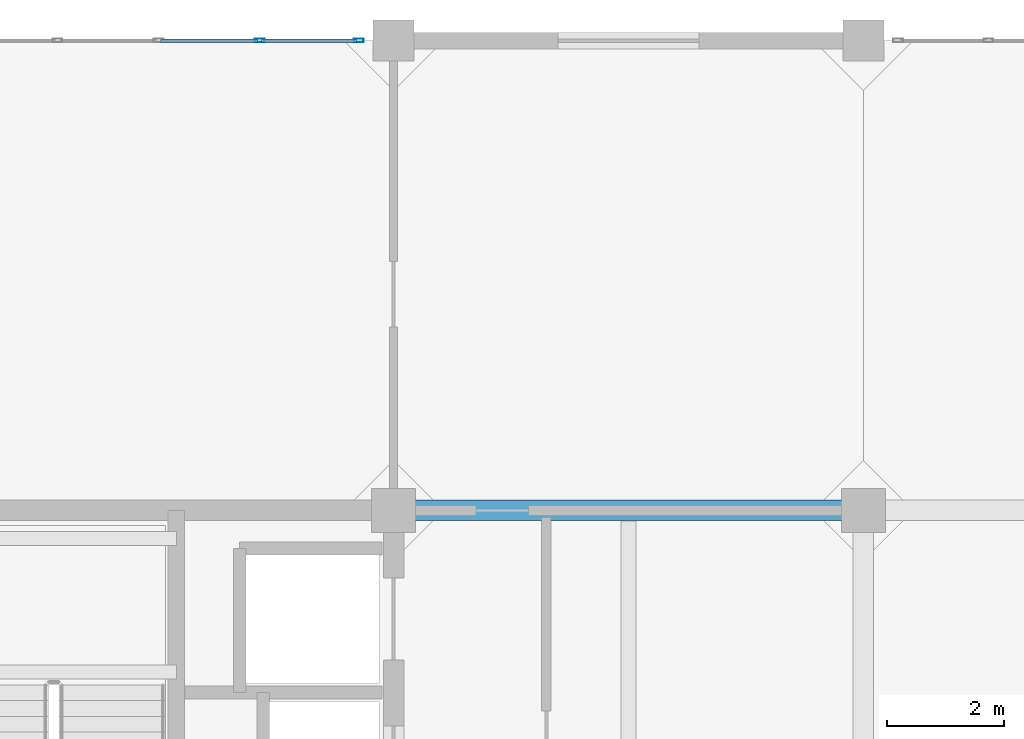
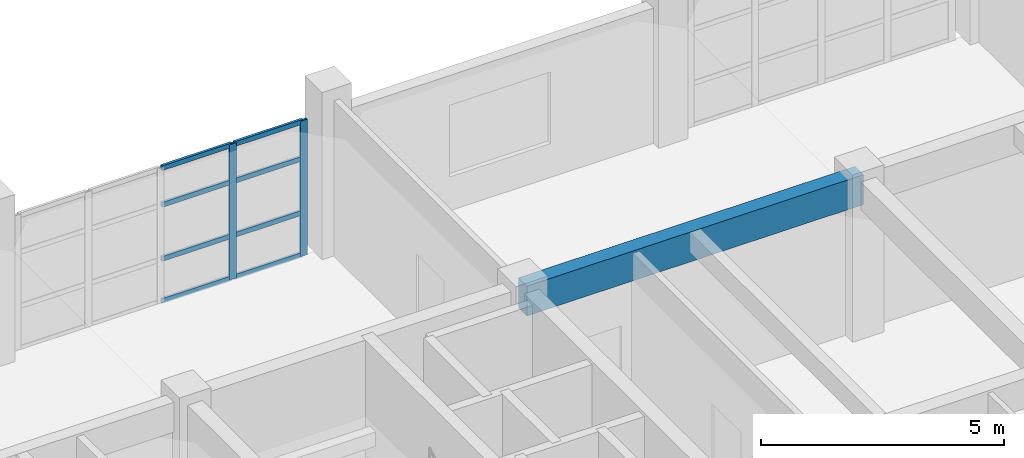
# One storey, part 11 of 19: 10 members, 1 beam, 1 element without a shape of its own.
"""IFC4 building model written with IfcOpenShell, lengths in metres."""

from ifc_helpers import new_model, si_unit, direction, frame, origin, origin_2d, place, context, subcontext, project, spatial, rectangle, hollow_rectangle, extrude, material, layer, layer_set, material_profile, profile_set, type_object, element, aggregate, save


model = new_model("IFC4")

# Units and contexts
model_context = context("Model", 3, precision=1e-05, world=origin(), true_north=direction((0.0, 1.0)))
body_context = subcontext(model_context, "Body", "Model", "MODEL_VIEW")
ifc_project = project(units=[si_unit("LENGTHUNIT", "METRE"), si_unit("AREAUNIT", "SQUARE_METRE"), si_unit("VOLUMEUNIT", "CUBIC_METRE"), si_unit("PLANEANGLEUNIT", "RADIAN"), si_unit("MASSUNIT", "GRAM", prefix="KILO")], contexts=[model_context])

# Site, building, storey
site_placement = place(None, origin())
site = spatial("IfcSite", under=ifc_project, at=site_placement, CompositionType="ELEMENT")
building_placement = place(site_placement, origin())
building = spatial("IfcBuilding", under=site, at=building_placement, Name="Canggui Botanical Conservatory", CompositionType="ELEMENT")
storey_placement = place(building_placement, frame((0.0, 0.0, 44.39990234375)))
storey = spatial("IfcBuildingStorey", under=building, at=storey_placement, Name="L11", CompositionType="ELEMENT", Elevation=44.39990234375)

# Beam
ifc_material_1 = material(Name="Concrete C35", Category="concrete")
ifc_material_profile_1 = material_profile(ifc_material_1, rectangle(XDim=0.35009765625, YDim=0.75, at=origin_2d()), Name="RB 350x750")
ifc_profile_set_1 = profile_set([ifc_material_profile_1], Name="Concrete C35")
beam_type = type_object("IfcBeamType", Name="BM-KL16", PredefinedType="BEAM", material=ifc_profile_set_1)
beam_placement = place(storey_placement, frame((162.0, 66.0, 3.585205078125), z_axis=(1.0, 0.0, 0.0), x_axis=(0.0, 1.0, 0.0)))
element("IfcBeam", 1, at=beam_placement, inside=storey, type_object=beam_type, Name="Frame Girder L11 Y66-3", PredefinedType="BEAM", context=body_context, shape_type="SweptSolid", body=[
    extrude(rectangle(XDim=0.35009765625, YDim=0.75, at=origin_2d()), origin(), (0.0, 0.0, 1.0), 8.0),
])

# Curtain wall, members
ifc_material_2 = material(Name="Thermally Broken Aluminium", Category="aluminium")
ifc_layer = layer(ifc_material_2, 0.1650390625, Name="Thermally Broken Aluminium", Category="aluminium")
ifc_layer_set = layer_set([ifc_layer], Name="Thermally Broken Aluminium")
curtain_wall_type = type_object("IfcCurtainWallType", Name="CW-UNIT-B", PredefinedType="USERDEFINED", material=ifc_layer_set)
curtain_wall_placement = place(storey_placement, origin())
curtain_wall = element("IfcCurtainWall", 2, at=curtain_wall_placement, inside=storey, type_object=curtain_wall_type, Name="Facade Curtain Wall CW-TWR-L11-11", ObjectType="UNITISED CURTAIN WALL", PredefinedType="USERDEFINED")
ifc_material_profile_2 = material_profile(ifc_material_2, hollow_rectangle(XDim=0.06494140625, YDim=0.1650390625, WallThickness=0.00390625, at=origin_2d()), Name="CWM 65x165x4")
ifc_profile_set_2 = profile_set([ifc_material_profile_2], Name="Thermally Broken Aluminium")
member_type_1 = type_object("IfcMemberType", Name="CWM-02", PredefinedType="MULLION", material=ifc_profile_set_2)
member_1_placement = place(storey_placement, frame((159.719970703125, 74.0, 0.0), z_axis=(0.0, 0.0, 1.0), x_axis=(0.0, 1.0, 0.0)))
member_1 = element("IfcMember", 3, at=member_1_placement, type_object=member_type_1, Name="CW-02 mullion 4", PredefinedType="MULLION", context=body_context, shape_type="SweptSolid", body=[
    extrude(hollow_rectangle(XDim=0.06494140625, YDim=0.1650390625, WallThickness=0.00390625, at=origin_2d()), origin(), (0.0, 0.0, 1.0), 3.400146484375),
])
member_2_placement = place(storey_placement, frame((161.407470703125, 74.0, 0.0), z_axis=(0.0, 0.0, 1.0), x_axis=(0.0, 1.0, 0.0)))
member_2 = element("IfcMember", 4, at=member_2_placement, type_object=member_type_1, Name="CW-02 mullion 5", PredefinedType="MULLION", context=body_context, shape_type="SweptSolid", body=[
    extrude(hollow_rectangle(XDim=0.06494140625, YDim=0.1650390625, WallThickness=0.00390625, at=origin_2d()), origin(), (0.0, 0.0, 1.0), 3.400146484375),
])
ifc_material_profile_3 = material_profile(ifc_material_2, hollow_rectangle(XDim=0.06005859375, YDim=0.1201171875, WallThickness=0.00341796875, at=origin_2d()), Name="CWT 60x120x3.5")
ifc_profile_set_3 = profile_set([ifc_material_profile_3], Name="Thermally Broken Aluminium")
member_type_2 = type_object("IfcMemberType", Name="CWT-02", PredefinedType="USERDEFINED", material=ifc_profile_set_3)
member_3_placement = place(storey_placement, frame((158.032470703125, 74.0, 0.030029296875), z_axis=(1.0, 0.0, 0.0), x_axis=(0.0, 1.0, 0.0)))
member_3 = element("IfcMember", 5, at=member_3_placement, type_object=member_type_2, Name="CW-02 transom 3.1", ObjectType="TRANSOM", PredefinedType="USERDEFINED", context=body_context, shape_type="SweptSolid", body=[
    extrude(hollow_rectangle(XDim=0.06005859375, YDim=0.1201171875, WallThickness=0.00341796875, at=origin_2d()), origin(), (0.0, 0.0, 1.0), 1.655029296875),
])
member_4_placement = place(storey_placement, frame((158.032470703125, 74.0, 1.088134765625), z_axis=(1.0, 0.0, 0.0), x_axis=(0.0, 1.0, 0.0)))
member_4 = element("IfcMember", 6, at=member_4_placement, type_object=member_type_2, Name="CW-02 transom 3.2", ObjectType="TRANSOM", PredefinedType="USERDEFINED", context=body_context, shape_type="SweptSolid", body=[
    extrude(hollow_rectangle(XDim=0.06005859375, YDim=0.1201171875, WallThickness=0.00341796875, at=origin_2d()), origin(), (0.0, 0.0, 1.0), 1.655029296875),
])
member_5_placement = place(storey_placement, frame((158.032470703125, 74.0, 2.447998046875), z_axis=(1.0, 0.0, 0.0), x_axis=(0.0, 1.0, 0.0)))
member_5 = element("IfcMember", 7, at=member_5_placement, type_object=member_type_2, Name="CW-02 transom 3.3", ObjectType="TRANSOM", PredefinedType="USERDEFINED", context=body_context, shape_type="SweptSolid", body=[
    extrude(hollow_rectangle(XDim=0.06005859375, YDim=0.1201171875, WallThickness=0.00341796875, at=origin_2d()), origin(), (0.0, 0.0, 1.0), 1.655029296875),
])
member_6_placement = place(storey_placement, frame((158.032470703125, 74.0, 3.3701171875), z_axis=(1.0, 0.0, 0.0), x_axis=(0.0, 1.0, 0.0)))
member_6 = element("IfcMember", 8, at=member_6_placement, type_object=member_type_2, Name="CW-02 transom 3.4", ObjectType="TRANSOM", PredefinedType="USERDEFINED", context=body_context, shape_type="SweptSolid", body=[
    extrude(hollow_rectangle(XDim=0.06005859375, YDim=0.1201171875, WallThickness=0.00341796875, at=origin_2d()), origin(), (0.0, 0.0, 1.0), 1.655029296875),
])
member_7_placement = place(storey_placement, frame((159.75244140625, 74.0, 0.030029296875), z_axis=(1.0, 0.0, 0.0), x_axis=(0.0, 1.0, 0.0)))
member_7 = element("IfcMember", 9, at=member_7_placement, type_object=member_type_2, Name="CW-02 transom 4.1", ObjectType="TRANSOM", PredefinedType="USERDEFINED", context=body_context, shape_type="SweptSolid", body=[
    extrude(hollow_rectangle(XDim=0.06005859375, YDim=0.1201171875, WallThickness=0.00341796875, at=origin_2d()), origin(), (0.0, 0.0, 1.0), 1.62255859375),
])
member_8_placement = place(storey_placement, frame((159.75244140625, 74.0, 1.088134765625), z_axis=(1.0, 0.0, 0.0), x_axis=(0.0, 1.0, 0.0)))
member_8 = element("IfcMember", 10, at=member_8_placement, type_object=member_type_2, Name="CW-02 transom 4.2", ObjectType="TRANSOM", PredefinedType="USERDEFINED", context=body_context, shape_type="SweptSolid", body=[
    extrude(hollow_rectangle(XDim=0.06005859375, YDim=0.1201171875, WallThickness=0.00341796875, at=origin_2d()), origin(), (0.0, 0.0, 1.0), 1.62255859375),
])
member_9_placement = place(storey_placement, frame((159.75244140625, 74.0, 2.447998046875), z_axis=(1.0, 0.0, 0.0), x_axis=(0.0, 1.0, 0.0)))
member_9 = element("IfcMember", 11, at=member_9_placement, type_object=member_type_2, Name="CW-02 transom 4.3", ObjectType="TRANSOM", PredefinedType="USERDEFINED", context=body_context, shape_type="SweptSolid", body=[
    extrude(hollow_rectangle(XDim=0.06005859375, YDim=0.1201171875, WallThickness=0.00341796875, at=origin_2d()), origin(), (0.0, 0.0, 1.0), 1.62255859375),
])
member_10_placement = place(storey_placement, frame((159.75244140625, 74.0, 3.3701171875), z_axis=(1.0, 0.0, 0.0), x_axis=(0.0, 1.0, 0.0)))
member_10 = element("IfcMember", 12, at=member_10_placement, type_object=member_type_2, Name="CW-02 transom 4.4", ObjectType="TRANSOM", PredefinedType="USERDEFINED", context=body_context, shape_type="SweptSolid", body=[
    extrude(hollow_rectangle(XDim=0.06005859375, YDim=0.1201171875, WallThickness=0.00341796875, at=origin_2d()), origin(), (0.0, 0.0, 1.0), 1.62255859375),
])
aggregate(curtain_wall, [member_1, member_2, member_3, member_4, member_5, member_6, member_7, member_8, member_9, member_10])

save(model, "model.ifc")
